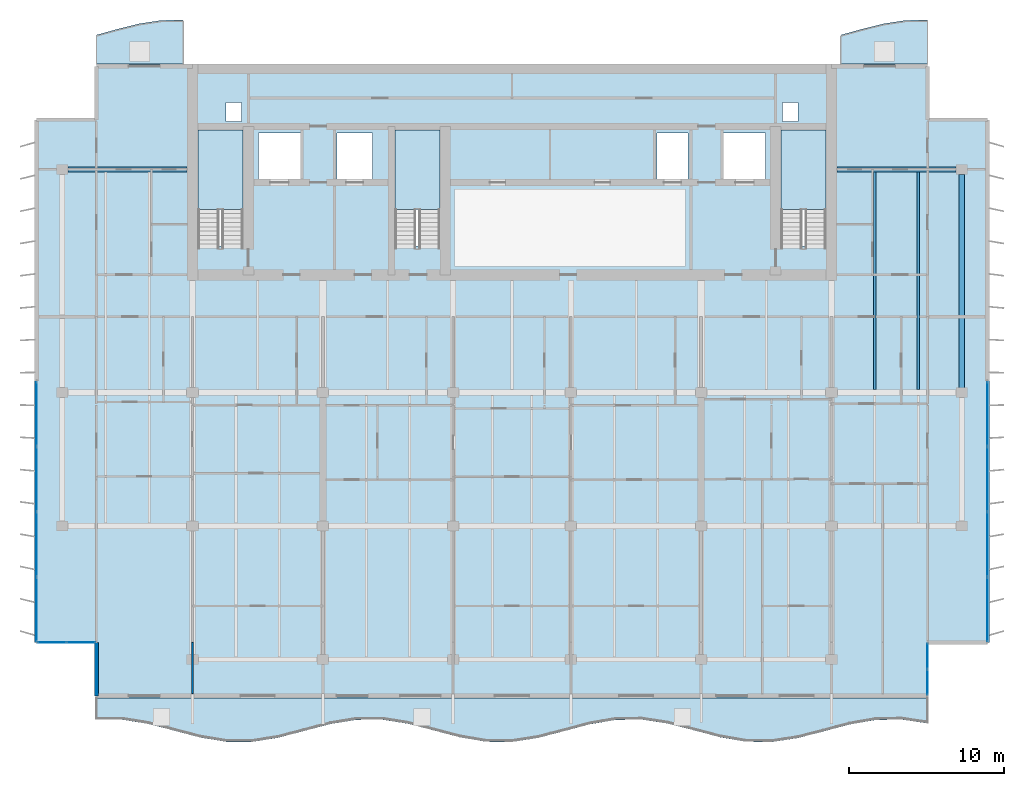
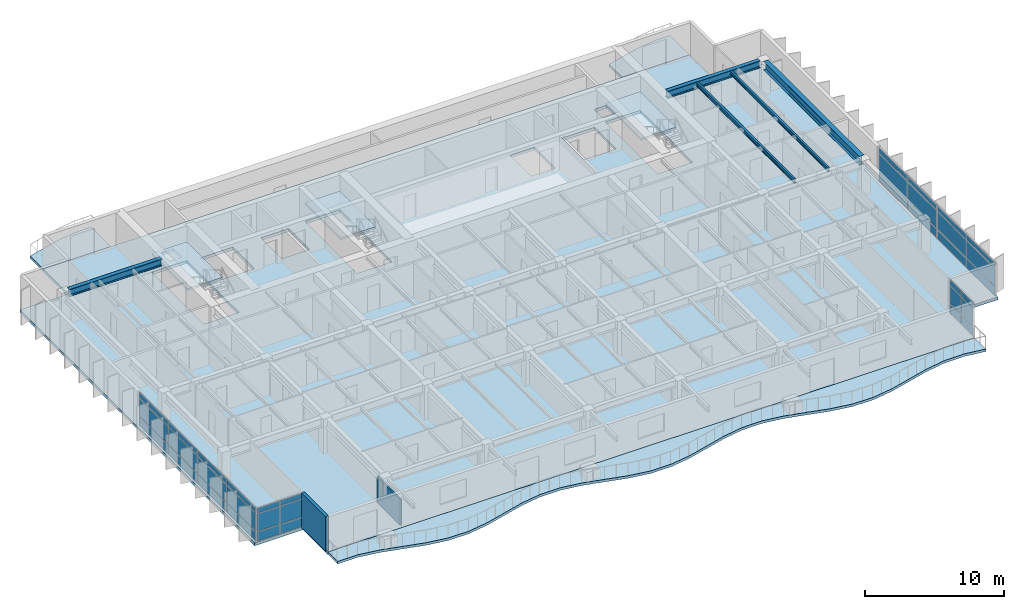
# One storey, part 5 of 19: 36 plates, 7 slabs, 5 beams, 2 walls, 7 elements without a shape of their own.
"""IFC4 building model written with IfcOpenShell, lengths in metres."""

from ifc_helpers import new_model, si_unit, direction, frame, frame_2d, origin, origin_2d, place, context, subcontext, project, spatial, polyline, rectangle, i_section, outline, extrude, material, layer, layer_set, material_profile, profile_set, type_object, element, aggregate, save


model = new_model("IFC4")

# Units and contexts
model_context = context("Model", 3, precision=1e-05, world=origin(), true_north=direction((0.0, 1.0)))
body_context = subcontext(model_context, "Body", "Model", "MODEL_VIEW")
ifc_project = project(units=[si_unit("LENGTHUNIT", "METRE"), si_unit("AREAUNIT", "SQUARE_METRE"), si_unit("VOLUMEUNIT", "CUBIC_METRE"), si_unit("PLANEANGLEUNIT", "RADIAN"), si_unit("MASSUNIT", "GRAM", prefix="KILO")], contexts=[model_context])

# Site, building, storey
site_placement = place(None, origin())
site = spatial("IfcSite", under=ifc_project, at=site_placement, CompositionType="ELEMENT")
building_placement = place(site_placement, origin())
building = spatial("IfcBuilding", under=site, at=building_placement, Name="Caelmar Bay Residences", CompositionType="ELEMENT")
storey_placement = place(building_placement, frame((0.0, 0.0, 256.199951171875)))
storey = spatial("IfcBuildingStorey", under=building, at=storey_placement, Name="L72", CompositionType="ELEMENT", Elevation=256.199951171875)

# Beams
ifc_material_1 = material(Name="Steel ASTM A992 Grade 50", Category="steel")
ifc_material_profile_1 = material_profile(ifc_material_1, i_section(OverallWidth=0.381103515625, OverallDepth=0.77197265625, WebThickness=0.0166015625, FlangeThickness=0.027099609375, FilletRadius=0.0166015625, at=origin_2d()), Name="W30X173")
ifc_profile_set_1 = profile_set([ifc_material_profile_1], Name="Steel ASTM A992 Grade 50")
beam_type_1 = type_object("IfcBeamType", Name="BM-GRD-W30X173", PredefinedType="BEAM", material=ifc_profile_set_1)
beam_1_placement = place(storey_placement, frame((67.89990234375, 29.715087890625, 2.6640625), z_axis=(0.0, 1.0, 0.0), x_axis=(-1.0, 0.0, 0.0)))
element("IfcBeam", 1, at=beam_1_placement, inside=storey, type_object=beam_type_1, Name="L72 North-South Girder X=67.90 (29.4-43.8)", PredefinedType="BEAM", context=body_context, shape_type="SweptSolid", body=[
    extrude(i_section(OverallWidth=0.381103515625, OverallDepth=0.77197265625, WebThickness=0.0166015625, FlangeThickness=0.027099609375, FilletRadius=0.0166015625, at=origin_2d()), origin(), (0.0, 0.0, 1.0), 13.77001953125),
])
ifc_material_profile_2 = material_profile(ifc_material_1, i_section(OverallWidth=0.1650390625, OverallDepth=0.31005859375, WebThickness=0.005859375, FlangeThickness=0.009765625, FilletRadius=0.007568359375, at=origin_2d()), Name="W12X26")
ifc_profile_set_2 = profile_set([ifc_material_profile_2], Name="Steel ASTM A992 Grade 50")
beam_type_2 = type_object("IfcBeamType", Name="BM-JST-W12X26", PredefinedType="JOIST", material=ifc_profile_set_2)
beam_2_placement = place(storey_placement, frame((65.10009765625, 29.590576171875, 2.89501953125), z_axis=(0.0, 1.0, 0.0), x_axis=(-1.0, 0.0, 0.0)))
element("IfcBeam", 2, at=beam_2_placement, inside=storey, type_object=beam_type_2, Name="L72 Composite Floor Joist 33", PredefinedType="JOIST", context=body_context, shape_type="SweptSolid", body=[
    extrude(i_section(OverallWidth=0.1650390625, OverallDepth=0.31005859375, WebThickness=0.005859375, FlangeThickness=0.009765625, FilletRadius=0.007568359375, at=origin_2d()), origin(), (0.0, 0.0, 1.0), 14.046875),
])
ifc_material_profile_3 = material_profile(ifc_material_1, i_section(OverallWidth=0.1708984375, OverallDepth=0.35595703125, WebThickness=0.007080078125, FlangeThickness=0.01171875, FilletRadius=0.007568359375, at=origin_2d()), Name="W14X34")
ifc_profile_set_3 = profile_set([ifc_material_profile_3], Name="Steel ASTM A992 Grade 50")
beam_type_3 = type_object("IfcBeamType", Name="BM-JST-W14X34", PredefinedType="JOIST", material=ifc_profile_set_3)
beam_3_placement = place(storey_placement, frame((62.300048828125, 29.590576171875, 2.8720703125), z_axis=(0.0, 1.0, 0.0), x_axis=(-1.0, 0.0, 0.0)))
element("IfcBeam", 3, at=beam_3_placement, inside=storey, type_object=beam_type_3, Name="L72 Composite Floor Joist 32", PredefinedType="JOIST", context=body_context, shape_type="SweptSolid", body=[
    extrude(i_section(OverallWidth=0.1708984375, OverallDepth=0.35595703125, WebThickness=0.007080078125, FlangeThickness=0.01171875, FilletRadius=0.007568359375, at=origin_2d()), origin(), (0.0, 0.0, 1.0), 14.046875),
])
ifc_material_profile_4 = material_profile(ifc_material_1, i_section(OverallWidth=0.324951171875, OverallDepth=0.616943359375, WebThickness=0.013916015625, FlangeThickness=0.021484375, FilletRadius=0.0126953125, at=origin_2d()), Name="W24X117")
ifc_profile_set_4 = profile_set([ifc_material_profile_4], Name="Steel ASTM A992 Grade 50")
beam_type_4 = type_object("IfcBeamType", Name="BM-SPN-W24X117", PredefinedType="SPANDREL", material=ifc_profile_set_4)
beam_4_placement = place(storey_placement, frame((10.264892578125, 43.800048828125, 2.741455078125), z_axis=(1.0, 0.0, 0.0), x_axis=(0.0, 1.0, 0.0)))
element("IfcBeam", 4, at=beam_4_placement, inside=storey, type_object=beam_type_4, Name="L72 North-West Wing Core Tie Girder", PredefinedType="SPANDREL", context=body_context, shape_type="SweptSolid", body=[
    extrude(i_section(OverallWidth=0.324951171875, OverallDepth=0.616943359375, WebThickness=0.013916015625, FlangeThickness=0.021484375, FilletRadius=0.0126953125, at=origin_2d()), origin(), (0.0, 0.0, 1.0), 7.68505859375),
])
beam_5_placement = place(storey_placement, frame((59.85009765625, 43.800048828125, 2.741455078125), z_axis=(1.0, 0.0, 0.0), x_axis=(0.0, 1.0, 0.0)))
element("IfcBeam", 5, at=beam_5_placement, inside=storey, type_object=beam_type_4, Name="L72 North-East Wing Core Tie Girder", PredefinedType="SPANDREL", context=body_context, shape_type="SweptSolid", body=[
    extrude(i_section(OverallWidth=0.324951171875, OverallDepth=0.616943359375, WebThickness=0.013916015625, FlangeThickness=0.021484375, FilletRadius=0.0126953125, at=origin_2d()), origin(), (0.0, 0.0, 1.0), 7.684814453125),
])

# Curtain wall, plates
ifc_material_2 = material(Name="Anodised bronze aluminium 6063-T6 and laminated glass", Category="aluminium")
ifc_layer_1 = layer(ifc_material_2, 0.179931640625)
ifc_layer_set_1 = layer_set([ifc_layer_1], Name="Anodised bronze aluminium 6063-T6 and laminated glass")
curtain_wall_type_1 = type_object("IfcCurtainWallType", Name="CW6-NTC", PredefinedType="NOTDEFINED", material=ifc_layer_set_1)
curtain_wall_1_placement = place(storey_placement, origin())
curtain_wall_1 = element("IfcCurtainWall", 6, at=curtain_wall_1_placement, inside=storey, type_object=curtain_wall_type_1, Name="CW6 curtain wall L72", PredefinedType="NOTDEFINED")
ifc_material_3 = material(Name="Bronze-tinted laminated low-E hurricane glass 28 mm", Category="glass")
ifc_layer_2 = layer(ifc_material_3, 0.028076171875)
ifc_layer_set_2 = layer_set([ifc_layer_2], Name="Bronze-tinted laminated low-E hurricane glass 28 mm")
plate_type_1 = type_object("IfcPlateType", Name="CWP-GLZ28", PredefinedType="CURTAIN_PANEL", material=ifc_layer_set_2)
plate_1_placement = place(storey_placement, frame((9.232421875, 13.300048828125, 0.080078125), z_axis=(0.0, 0.0, 1.0), x_axis=(1.0, 0.0, 0.0)))
plate_1 = element("IfcPlate", 7, at=plate_1_placement, type_object=plate_type_1, Name="CW6 panel 1.1", PredefinedType="CURTAIN_PANEL", context=body_context, shape_type="SweptSolid", body=[
    extrude(rectangle(XDim=1.804931640625, YDim=0.028076171875, at=origin_2d()), origin(), (0.0, 0.0, 1.0), 0.780029296875),
])
plate_2_placement = place(storey_placement, frame((9.232421875, 13.300048828125, 0.93994140625), z_axis=(0.0, 0.0, 1.0), x_axis=(1.0, 0.0, 0.0)))
plate_2 = element("IfcPlate", 8, at=plate_2_placement, type_object=plate_type_1, Name="CW6 panel 1.2", PredefinedType="CURTAIN_PANEL", context=body_context, shape_type="SweptSolid", body=[
    extrude(rectangle(XDim=1.804931640625, YDim=0.028076171875, at=origin_2d()), origin(), (0.0, 0.0, 1.0), 1.52001953125),
])
plate_3_placement = place(storey_placement, frame((9.232421875, 13.300048828125, 2.5400390625), z_axis=(0.0, 0.0, 1.0), x_axis=(1.0, 0.0, 0.0)))
plate_3 = element("IfcPlate", 9, at=plate_3_placement, type_object=plate_type_1, Name="CW6 panel 1.3", PredefinedType="CURTAIN_PANEL", context=body_context, shape_type="SweptSolid", body=[
    extrude(rectangle(XDim=1.804931640625, YDim=0.028076171875, at=origin_2d()), origin(), (0.0, 0.0, 1.0), 0.429931640625),
])
plate_4_placement = place(storey_placement, frame((11.117431640625, 13.300048828125, 0.080078125), z_axis=(0.0, 0.0, 1.0), x_axis=(1.0, 0.0, 0.0)))
plate_4 = element("IfcPlate", 10, at=plate_4_placement, type_object=plate_type_1, Name="CW6 panel 2.1", PredefinedType="CURTAIN_PANEL", context=body_context, shape_type="SweptSolid", body=[
    extrude(rectangle(XDim=1.804931640625, YDim=0.028076171875, at=origin_2d()), origin(), (0.0, 0.0, 1.0), 0.780029296875),
])
plate_5_placement = place(storey_placement, frame((11.117431640625, 13.300048828125, 0.93994140625), z_axis=(0.0, 0.0, 1.0), x_axis=(1.0, 0.0, 0.0)))
plate_5 = element("IfcPlate", 11, at=plate_5_placement, type_object=plate_type_1, Name="CW6 panel 2.2", PredefinedType="CURTAIN_PANEL", context=body_context, shape_type="SweptSolid", body=[
    extrude(rectangle(XDim=1.804931640625, YDim=0.028076171875, at=origin_2d()), origin(), (0.0, 0.0, 1.0), 1.52001953125),
])
plate_6_placement = place(storey_placement, frame((11.117431640625, 13.300048828125, 2.5400390625), z_axis=(0.0, 0.0, 1.0), x_axis=(1.0, 0.0, 0.0)))
plate_6 = element("IfcPlate", 12, at=plate_6_placement, type_object=plate_type_1, Name="CW6 panel 2.3", PredefinedType="CURTAIN_PANEL", context=body_context, shape_type="SweptSolid", body=[
    extrude(rectangle(XDim=1.804931640625, YDim=0.028076171875, at=origin_2d()), origin(), (0.0, 0.0, 1.0), 0.429931640625),
])
aggregate(curtain_wall_1, [plate_1, plate_2, plate_3, plate_4, plate_5, plate_6])

curtain_wall_2_placement = place(storey_placement, origin())
curtain_wall_2 = element("IfcCurtainWall", 13, at=curtain_wall_2_placement, inside=storey, type_object=curtain_wall_type_1, Name="CW6 curtain wall L72", PredefinedType="NOTDEFINED")
plate_7_placement = place(storey_placement, frame((65.699951171875, 10.732421875, 0.080078125), z_axis=(0.0, 0.0, 1.0), x_axis=(0.0, 1.0, 0.0)))
plate_7 = element("IfcPlate", 14, at=plate_7_placement, type_object=plate_type_1, Name="CW6 panel 1.1", PredefinedType="CURTAIN_PANEL", context=body_context, shape_type="SweptSolid", body=[
    extrude(rectangle(XDim=1.60498046875, YDim=0.028076171875, at=origin_2d()), origin(), (0.0, 0.0, 1.0), 0.780029296875),
])
plate_8_placement = place(storey_placement, frame((65.699951171875, 10.732421875, 0.93994140625), z_axis=(0.0, 0.0, 1.0), x_axis=(0.0, 1.0, 0.0)))
plate_8 = element("IfcPlate", 15, at=plate_8_placement, type_object=plate_type_1, Name="CW6 panel 1.2", PredefinedType="CURTAIN_PANEL", context=body_context, shape_type="SweptSolid", body=[
    extrude(rectangle(XDim=1.60498046875, YDim=0.028076171875, at=origin_2d()), origin(), (0.0, 0.0, 1.0), 1.52001953125),
])
plate_9_placement = place(storey_placement, frame((65.699951171875, 10.732421875, 2.5400390625), z_axis=(0.0, 0.0, 1.0), x_axis=(0.0, 1.0, 0.0)))
plate_9 = element("IfcPlate", 16, at=plate_9_placement, type_object=plate_type_1, Name="CW6 panel 1.3", PredefinedType="CURTAIN_PANEL", context=body_context, shape_type="SweptSolid", body=[
    extrude(rectangle(XDim=1.60498046875, YDim=0.028076171875, at=origin_2d()), origin(), (0.0, 0.0, 1.0), 0.429931640625),
])
plate_10_placement = place(storey_placement, frame((65.699951171875, 12.41748046875, 0.080078125), z_axis=(0.0, 0.0, 1.0), x_axis=(0.0, 1.0, 0.0)))
plate_10 = element("IfcPlate", 17, at=plate_10_placement, type_object=plate_type_1, Name="CW6 panel 2.1", PredefinedType="CURTAIN_PANEL", context=body_context, shape_type="SweptSolid", body=[
    extrude(rectangle(XDim=1.60498046875, YDim=0.028076171875, at=origin_2d()), origin(), (0.0, 0.0, 1.0), 0.780029296875),
])
plate_11_placement = place(storey_placement, frame((65.699951171875, 12.41748046875, 0.93994140625), z_axis=(0.0, 0.0, 1.0), x_axis=(0.0, 1.0, 0.0)))
plate_11 = element("IfcPlate", 18, at=plate_11_placement, type_object=plate_type_1, Name="CW6 panel 2.2", PredefinedType="CURTAIN_PANEL", context=body_context, shape_type="SweptSolid", body=[
    extrude(rectangle(XDim=1.60498046875, YDim=0.028076171875, at=origin_2d()), origin(), (0.0, 0.0, 1.0), 1.52001953125),
])
plate_12_placement = place(storey_placement, frame((65.699951171875, 12.41748046875, 2.5400390625), z_axis=(0.0, 0.0, 1.0), x_axis=(0.0, 1.0, 0.0)))
plate_12 = element("IfcPlate", 19, at=plate_12_placement, type_object=plate_type_1, Name="CW6 panel 2.3", PredefinedType="CURTAIN_PANEL", context=body_context, shape_type="SweptSolid", body=[
    extrude(rectangle(XDim=1.60498046875, YDim=0.028076171875, at=origin_2d()), origin(), (0.0, 0.0, 1.0), 0.429931640625),
])
aggregate(curtain_wall_2, [plate_7, plate_8, plate_9, plate_10, plate_11, plate_12])

ifc_layer_3 = layer(ifc_material_2, 0.179931640625)
ifc_layer_set_3 = layer_set([ifc_layer_3], Name="Anodised bronze aluminium 6063-T6 and laminated glass")
curtain_wall_type_2 = type_object("IfcCurtainWallType", Name="CW5-Z4", PredefinedType="NOTDEFINED", material=ifc_layer_set_3)
curtain_wall_3_placement = place(storey_placement, origin())
curtain_wall_3 = element("IfcCurtainWall", 20, at=curtain_wall_3_placement, inside=storey, type_object=curtain_wall_type_2, Name="CW5 curtain wall L72", PredefinedType="NOTDEFINED")
ifc_material_4 = material(Name="Bronze-tinted laminated low-E hurricane glass 32 mm", Category="glass")
ifc_layer_4 = layer(ifc_material_4, 0.031982421875)
ifc_layer_set_4 = layer_set([ifc_layer_4], Name="Bronze-tinted laminated low-E hurricane glass 32 mm")
plate_type_2 = type_object("IfcPlateType", Name="CWP-GLZ32", PredefinedType="CURTAIN_PANEL", material=ifc_layer_set_4)
plate_13_placement = place(storey_placement, frame((8.25, 15.42626953125, 0.080078125), z_axis=(0.0, 0.0, 1.0), x_axis=(0.0, 1.0, 0.0)))
plate_13 = element("IfcPlate", 21, at=plate_13_placement, type_object=plate_type_2, Name="CW5 panel 1.1", PredefinedType="CURTAIN_PANEL", context=body_context, shape_type="SweptSolid", body=[
    extrude(rectangle(XDim=4.092529296875, YDim=0.031982421875, at=origin_2d()), origin(), (0.0, 0.0, 1.0), 0.780029296875),
])
plate_14_placement = place(storey_placement, frame((8.25, 15.42626953125, 0.93994140625), z_axis=(0.0, 0.0, 1.0), x_axis=(0.0, 1.0, 0.0)))
plate_14 = element("IfcPlate", 22, at=plate_14_placement, type_object=plate_type_2, Name="CW5 panel 1.2", PredefinedType="CURTAIN_PANEL", context=body_context, shape_type="SweptSolid", body=[
    extrude(rectangle(XDim=4.092529296875, YDim=0.031982421875, at=origin_2d()), origin(), (0.0, 0.0, 1.0), 1.52001953125),
])
plate_15_placement = place(storey_placement, frame((8.25, 15.42626953125, 2.5400390625), z_axis=(0.0, 0.0, 1.0), x_axis=(0.0, 1.0, 0.0)))
plate_15 = element("IfcPlate", 23, at=plate_15_placement, type_object=plate_type_2, Name="CW5 panel 1.3", PredefinedType="CURTAIN_PANEL", context=body_context, shape_type="SweptSolid", body=[
    extrude(rectangle(XDim=4.092529296875, YDim=0.031982421875, at=origin_2d()), origin(), (0.0, 0.0, 1.0), 0.429931640625),
])
plate_16_placement = place(storey_placement, frame((8.25, 19.61865234375, 0.080078125), z_axis=(0.0, 0.0, 1.0), x_axis=(0.0, 1.0, 0.0)))
plate_16 = element("IfcPlate", 24, at=plate_16_placement, type_object=plate_type_2, Name="CW5 panel 2.1", PredefinedType="CURTAIN_PANEL", context=body_context, shape_type="SweptSolid", body=[
    extrude(rectangle(XDim=4.132568359375, YDim=0.031982421875, at=origin_2d()), origin(), (0.0, 0.0, 1.0), 0.780029296875),
])
plate_17_placement = place(storey_placement, frame((8.25, 19.61865234375, 0.93994140625), z_axis=(0.0, 0.0, 1.0), x_axis=(0.0, 1.0, 0.0)))
plate_17 = element("IfcPlate", 25, at=plate_17_placement, type_object=plate_type_2, Name="CW5 panel 2.2", PredefinedType="CURTAIN_PANEL", context=body_context, shape_type="SweptSolid", body=[
    extrude(rectangle(XDim=4.132568359375, YDim=0.031982421875, at=origin_2d()), origin(), (0.0, 0.0, 1.0), 1.52001953125),
])
plate_18_placement = place(storey_placement, frame((8.25, 19.61865234375, 2.5400390625), z_axis=(0.0, 0.0, 1.0), x_axis=(0.0, 1.0, 0.0)))
plate_18 = element("IfcPlate", 26, at=plate_18_placement, type_object=plate_type_2, Name="CW5 panel 2.3", PredefinedType="CURTAIN_PANEL", context=body_context, shape_type="SweptSolid", body=[
    extrude(rectangle(XDim=4.132568359375, YDim=0.031982421875, at=origin_2d()), origin(), (0.0, 0.0, 1.0), 0.429931640625),
])
plate_19_placement = place(storey_placement, frame((8.25, 23.831298828125, 0.080078125), z_axis=(0.0, 0.0, 1.0), x_axis=(0.0, 1.0, 0.0)))
plate_19 = element("IfcPlate", 27, at=plate_19_placement, type_object=plate_type_2, Name="CW5 panel 3.1", PredefinedType="CURTAIN_PANEL", context=body_context, shape_type="SweptSolid", body=[
    extrude(rectangle(XDim=4.132568359375, YDim=0.031982421875, at=origin_2d()), origin(), (0.0, 0.0, 1.0), 0.780029296875),
])
plate_20_placement = place(storey_placement, frame((8.25, 23.831298828125, 0.93994140625), z_axis=(0.0, 0.0, 1.0), x_axis=(0.0, 1.0, 0.0)))
plate_20 = element("IfcPlate", 28, at=plate_20_placement, type_object=plate_type_2, Name="CW5 panel 3.2", PredefinedType="CURTAIN_PANEL", context=body_context, shape_type="SweptSolid", body=[
    extrude(rectangle(XDim=4.132568359375, YDim=0.031982421875, at=origin_2d()), origin(), (0.0, 0.0, 1.0), 1.52001953125),
])
plate_21_placement = place(storey_placement, frame((8.25, 23.831298828125, 2.5400390625), z_axis=(0.0, 0.0, 1.0), x_axis=(0.0, 1.0, 0.0)))
plate_21 = element("IfcPlate", 29, at=plate_21_placement, type_object=plate_type_2, Name="CW5 panel 3.3", PredefinedType="CURTAIN_PANEL", context=body_context, shape_type="SweptSolid", body=[
    extrude(rectangle(XDim=4.132568359375, YDim=0.031982421875, at=origin_2d()), origin(), (0.0, 0.0, 1.0), 0.429931640625),
])
plate_22_placement = place(storey_placement, frame((8.25, 28.023681640625, 0.080078125), z_axis=(0.0, 0.0, 1.0), x_axis=(0.0, 1.0, 0.0)))
plate_22 = element("IfcPlate", 30, at=plate_22_placement, type_object=plate_type_2, Name="CW5 panel 4.1", PredefinedType="CURTAIN_PANEL", context=body_context, shape_type="SweptSolid", body=[
    extrude(rectangle(XDim=4.092529296875, YDim=0.031982421875, at=origin_2d()), origin(), (0.0, 0.0, 1.0), 0.780029296875),
])
plate_23_placement = place(storey_placement, frame((8.25, 28.023681640625, 0.93994140625), z_axis=(0.0, 0.0, 1.0), x_axis=(0.0, 1.0, 0.0)))
plate_23 = element("IfcPlate", 31, at=plate_23_placement, type_object=plate_type_2, Name="CW5 panel 4.2", PredefinedType="CURTAIN_PANEL", context=body_context, shape_type="SweptSolid", body=[
    extrude(rectangle(XDim=4.092529296875, YDim=0.031982421875, at=origin_2d()), origin(), (0.0, 0.0, 1.0), 1.52001953125),
])
plate_24_placement = place(storey_placement, frame((8.25, 28.023681640625, 2.5400390625), z_axis=(0.0, 0.0, 1.0), x_axis=(0.0, 1.0, 0.0)))
plate_24 = element("IfcPlate", 32, at=plate_24_placement, type_object=plate_type_2, Name="CW5 panel 4.3", PredefinedType="CURTAIN_PANEL", context=body_context, shape_type="SweptSolid", body=[
    extrude(rectangle(XDim=4.092529296875, YDim=0.031982421875, at=origin_2d()), origin(), (0.0, 0.0, 1.0), 0.429931640625),
])
aggregate(curtain_wall_3, [plate_13, plate_14, plate_15, plate_16, plate_17, plate_18, plate_19, plate_20, plate_21, plate_22, plate_23, plate_24])

curtain_wall_4_placement = place(storey_placement, origin())
curtain_wall_4 = element("IfcCurtainWall", 33, at=curtain_wall_4_placement, inside=storey, type_object=curtain_wall_type_2, Name="CW5 curtain wall L72", PredefinedType="NOTDEFINED")
plate_25_placement = place(storey_placement, frame((69.550048828125, 28.023681640625, 0.080078125), z_axis=(0.0, 0.0, 1.0), x_axis=(0.0, -1.0, 0.0)))
plate_25 = element("IfcPlate", 34, at=plate_25_placement, type_object=plate_type_2, Name="CW5 panel 1.1", PredefinedType="CURTAIN_PANEL", context=body_context, shape_type="SweptSolid", body=[
    extrude(rectangle(XDim=4.092529296875, YDim=0.031982421875, at=origin_2d()), origin(), (0.0, 0.0, 1.0), 0.780029296875),
])
plate_26_placement = place(storey_placement, frame((69.550048828125, 28.023681640625, 0.93994140625), z_axis=(0.0, 0.0, 1.0), x_axis=(0.0, -1.0, 0.0)))
plate_26 = element("IfcPlate", 35, at=plate_26_placement, type_object=plate_type_2, Name="CW5 panel 1.2", PredefinedType="CURTAIN_PANEL", context=body_context, shape_type="SweptSolid", body=[
    extrude(rectangle(XDim=4.092529296875, YDim=0.031982421875, at=origin_2d()), origin(), (0.0, 0.0, 1.0), 1.52001953125),
])
plate_27_placement = place(storey_placement, frame((69.550048828125, 28.023681640625, 2.5400390625), z_axis=(0.0, 0.0, 1.0), x_axis=(0.0, -1.0, 0.0)))
plate_27 = element("IfcPlate", 36, at=plate_27_placement, type_object=plate_type_2, Name="CW5 panel 1.3", PredefinedType="CURTAIN_PANEL", context=body_context, shape_type="SweptSolid", body=[
    extrude(rectangle(XDim=4.092529296875, YDim=0.031982421875, at=origin_2d()), origin(), (0.0, 0.0, 1.0), 0.429931640625),
])
plate_28_placement = place(storey_placement, frame((69.550048828125, 23.831298828125, 0.080078125), z_axis=(0.0, 0.0, 1.0), x_axis=(0.0, -1.0, 0.0)))
plate_28 = element("IfcPlate", 37, at=plate_28_placement, type_object=plate_type_2, Name="CW5 panel 2.1", PredefinedType="CURTAIN_PANEL", context=body_context, shape_type="SweptSolid", body=[
    extrude(rectangle(XDim=4.132568359375, YDim=0.031982421875, at=origin_2d()), origin(), (0.0, 0.0, 1.0), 0.780029296875),
])
plate_29_placement = place(storey_placement, frame((69.550048828125, 23.831298828125, 0.93994140625), z_axis=(0.0, 0.0, 1.0), x_axis=(0.0, -1.0, 0.0)))
plate_29 = element("IfcPlate", 38, at=plate_29_placement, type_object=plate_type_2, Name="CW5 panel 2.2", PredefinedType="CURTAIN_PANEL", context=body_context, shape_type="SweptSolid", body=[
    extrude(rectangle(XDim=4.132568359375, YDim=0.031982421875, at=origin_2d()), origin(), (0.0, 0.0, 1.0), 1.52001953125),
])
plate_30_placement = place(storey_placement, frame((69.550048828125, 23.831298828125, 2.5400390625), z_axis=(0.0, 0.0, 1.0), x_axis=(0.0, -1.0, 0.0)))
plate_30 = element("IfcPlate", 39, at=plate_30_placement, type_object=plate_type_2, Name="CW5 panel 2.3", PredefinedType="CURTAIN_PANEL", context=body_context, shape_type="SweptSolid", body=[
    extrude(rectangle(XDim=4.132568359375, YDim=0.031982421875, at=origin_2d()), origin(), (0.0, 0.0, 1.0), 0.429931640625),
])
plate_31_placement = place(storey_placement, frame((69.550048828125, 19.61865234375, 0.080078125), z_axis=(0.0, 0.0, 1.0), x_axis=(0.0, -1.0, 0.0)))
plate_31 = element("IfcPlate", 40, at=plate_31_placement, type_object=plate_type_2, Name="CW5 panel 3.1", PredefinedType="CURTAIN_PANEL", context=body_context, shape_type="SweptSolid", body=[
    extrude(rectangle(XDim=4.132568359375, YDim=0.031982421875, at=origin_2d()), origin(), (0.0, 0.0, 1.0), 0.780029296875),
])
plate_32_placement = place(storey_placement, frame((69.550048828125, 19.61865234375, 0.93994140625), z_axis=(0.0, 0.0, 1.0), x_axis=(0.0, -1.0, 0.0)))
plate_32 = element("IfcPlate", 41, at=plate_32_placement, type_object=plate_type_2, Name="CW5 panel 3.2", PredefinedType="CURTAIN_PANEL", context=body_context, shape_type="SweptSolid", body=[
    extrude(rectangle(XDim=4.132568359375, YDim=0.031982421875, at=origin_2d()), origin(), (0.0, 0.0, 1.0), 1.52001953125),
])
plate_33_placement = place(storey_placement, frame((69.550048828125, 19.61865234375, 2.5400390625), z_axis=(0.0, 0.0, 1.0), x_axis=(0.0, -1.0, 0.0)))
plate_33 = element("IfcPlate", 42, at=plate_33_placement, type_object=plate_type_2, Name="CW5 panel 3.3", PredefinedType="CURTAIN_PANEL", context=body_context, shape_type="SweptSolid", body=[
    extrude(rectangle(XDim=4.132568359375, YDim=0.031982421875, at=origin_2d()), origin(), (0.0, 0.0, 1.0), 0.429931640625),
])
plate_34_placement = place(storey_placement, frame((69.550048828125, 15.42626953125, 0.080078125), z_axis=(0.0, 0.0, 1.0), x_axis=(0.0, -1.0, 0.0)))
plate_34 = element("IfcPlate", 43, at=plate_34_placement, type_object=plate_type_2, Name="CW5 panel 4.1", PredefinedType="CURTAIN_PANEL", context=body_context, shape_type="SweptSolid", body=[
    extrude(rectangle(XDim=4.092529296875, YDim=0.031982421875, at=origin_2d()), origin(), (0.0, 0.0, 1.0), 0.780029296875),
])
plate_35_placement = place(storey_placement, frame((69.550048828125, 15.42626953125, 0.93994140625), z_axis=(0.0, 0.0, 1.0), x_axis=(0.0, -1.0, 0.0)))
plate_35 = element("IfcPlate", 44, at=plate_35_placement, type_object=plate_type_2, Name="CW5 panel 4.2", PredefinedType="CURTAIN_PANEL", context=body_context, shape_type="SweptSolid", body=[
    extrude(rectangle(XDim=4.092529296875, YDim=0.031982421875, at=origin_2d()), origin(), (0.0, 0.0, 1.0), 1.52001953125),
])
plate_36_placement = place(storey_placement, frame((69.550048828125, 15.42626953125, 2.5400390625), z_axis=(0.0, 0.0, 1.0), x_axis=(0.0, -1.0, 0.0)))
plate_36 = element("IfcPlate", 45, at=plate_36_placement, type_object=plate_type_2, Name="CW5 panel 4.3", PredefinedType="CURTAIN_PANEL", context=body_context, shape_type="SweptSolid", body=[
    extrude(rectangle(XDim=4.092529296875, YDim=0.031982421875, at=origin_2d()), origin(), (0.0, 0.0, 1.0), 0.429931640625),
])
aggregate(curtain_wall_4, [plate_25, plate_26, plate_27, plate_28, plate_29, plate_30, plate_31, plate_32, plate_33, plate_34, plate_35, plate_36])

# Slabs
ifc_material_5 = material(Name="Concrete f'c 40 MPa (6,000 psi)", Category="concrete")
ifc_layer_5 = layer(ifc_material_5, 0.219970703125)
ifc_layer_set_5 = layer_set([ifc_layer_5], Name="Concrete f'c 40 MPa (6,000 psi)")
slab_type_1 = type_object("IfcSlabType", Name="SLB-BAL-220", PredefinedType="FLOOR", material=ifc_layer_set_5)
slab_1_placement = place(storey_placement, frame((0.0, 0.0, -0.219970703125)))
element("IfcSlab", 46, at=slab_1_placement, inside=storey, type_object=slab_type_1, Name="L72 Sinusoidal Tree-Balcony Slab south", PredefinedType="FLOOR", context=body_context, shape_type="SweptSolid", body=[
    extrude(outline(polyline([(12.10009765625, 8.313232421875), (13.77490234375, 8.313720703125), (15.449951171875, 8.043212890625), (17.125, 7.604248046875), (18.800048828125, 7.163818359375), (20.47509765625, 6.888916015625), (22.14990234375, 6.88427734375), (23.824951171875, 7.1513671875), (25.5, 7.5888671875), (27.175048828125, 8.030517578125), (28.85009765625, 8.308837890625), (30.52490234375, 8.31787109375), (32.199951171875, 8.05419921875), (33.875, 7.6181640625), (35.550048828125, 7.17529296875), (37.22509765625, 6.8935546875), (38.89990234375, 6.880126953125), (40.574951171875, 7.14013671875), (42.25, 7.57470703125), (43.925048828125, 8.01904296875), (45.60009765625, 8.30419921875), (47.27490234375, 8.32177734375), (48.949951171875, 8.0654296875), (50.625, 7.632080078125), (52.300048828125, 7.186767578125), (53.97509765625, 6.898193359375), (55.64990234375, 6.876220703125), (57.324951171875, 7.129150390625), (59.0, 7.560791015625), (60.675048828125, 8.00732421875), (62.35009765625, 8.29931640625), (64.02490234375, 8.325439453125), (65.699951171875, 8.076416015625), (65.699951171875, 9.699951171875), (12.10009765625, 9.699951171875), (12.10009765625, 8.313232421875)])), origin(), (0.0, 0.0, 1.0), 0.219970703125),
])
slab_2_placement = place(storey_placement, frame((0.0, 0.0, -0.219970703125)))
element("IfcSlab", 47, at=slab_2_placement, inside=storey, type_object=slab_type_1, Name="L72 Sinusoidal Tree-Balcony Slab north_west", PredefinedType="FLOOR", context=body_context, shape_type="SweptSolid", body=[
    extrude(outline(polyline([(12.10009765625, 50.60009765625), (17.699951171875, 50.60009765625), (17.699951171875, 53.43359375), (16.300048828125, 53.413330078125), (14.89990234375, 53.201904296875), (13.5, 52.85595703125), (12.10009765625, 52.46826171875), (12.10009765625, 50.60009765625)])), origin(), (0.0, 0.0, 1.0), 0.219970703125),
])
slab_3_placement = place(storey_placement, frame((0.0, 0.0, -0.219970703125)))
element("IfcSlab", 48, at=slab_3_placement, inside=storey, type_object=slab_type_1, Name="L72 Sinusoidal Tree-Balcony Slab north_east", PredefinedType="FLOOR", context=body_context, shape_type="SweptSolid", body=[
    extrude(outline(polyline([(60.10009765625, 50.60009765625), (65.699951171875, 50.60009765625), (65.699951171875, 53.43359375), (64.300048828125, 53.413330078125), (62.89990234375, 53.201904296875), (61.5, 52.85595703125), (60.10009765625, 52.46826171875), (60.10009765625, 50.60009765625)])), origin(), (0.0, 0.0, 1.0), 0.219970703125),
])

# Stair, slab
stair_type = type_object("IfcStairType", Name="ST-TYP-165", PredefinedType="HALF_TURN_STAIR", material=ifc_material_5)
stair_1_placement = place(storey_placement, origin())
stair_1 = element("IfcStair", 49, at=stair_1_placement, inside=storey, type_object=stair_type, Name="L72 West Smokeproof Exit Stair ST1", PredefinedType="HALF_TURN_STAIR")
ifc_layer_6 = layer(ifc_material_5, 0.199951171875)
ifc_layer_set_6 = layer_set([ifc_layer_6], Name="Concrete f'c 40 MPa (6,000 psi)")
slab_type_2 = type_object("IfcSlabType", Name="SLB-LND-200", PredefinedType="LANDING", material=ifc_layer_set_6)
slab_4_placement = place(storey_placement, frame((0.0, 0.0, 1.449951171875)))
slab_4 = element("IfcSlab", 50, at=slab_4_placement, type_object=slab_type_2, Name="ST1 landing 1", PredefinedType="LANDING", context=body_context, shape_type="SweptSolid", body=[
    extrude(outline(polyline([(21.550048828125, 41.219970703125), (21.550048828125, 46.35009765625), (18.64990234375, 46.35009765625), (18.64990234375, 41.219970703125), (21.550048828125, 41.219970703125)])), origin(), (0.0, 0.0, 1.0), 0.2001953125),
])
aggregate(stair_1, [slab_4])

stair_2_placement = place(storey_placement, origin())
stair_2 = element("IfcStair", 51, at=stair_2_placement, inside=storey, type_object=stair_type, Name="L72 East Smokeproof Exit Stair ST2", PredefinedType="HALF_TURN_STAIR")
slab_5_placement = place(storey_placement, frame((0.0, 0.0, 1.449951171875)))
slab_5 = element("IfcSlab", 52, at=slab_5_placement, type_object=slab_type_2, Name="ST2 landing 1", PredefinedType="LANDING", context=body_context, shape_type="SweptSolid", body=[
    extrude(outline(polyline([(59.14990234375, 41.219970703125), (59.14990234375, 46.35009765625), (56.25, 46.35009765625), (56.25, 41.219970703125), (59.14990234375, 41.219970703125)])), origin(), (0.0, 0.0, 1.0), 0.2001953125),
])
aggregate(stair_2, [slab_5])

stair_3_placement = place(storey_placement, origin())
stair_3 = element("IfcStair", 53, at=stair_3_placement, inside=storey, type_object=stair_type, Name="L72 Central Smokeproof Exit Stair ST3", PredefinedType="HALF_TURN_STAIR")
slab_6_placement = place(storey_placement, frame((0.0, 0.0, 1.449951171875)))
slab_6 = element("IfcSlab", 54, at=slab_6_placement, type_object=slab_type_2, Name="ST3 landing 1", PredefinedType="LANDING", context=body_context, shape_type="SweptSolid", body=[
    extrude(outline(polyline([(34.25, 41.219970703125), (34.25, 46.35009765625), (31.35009765625, 46.35009765625), (31.35009765625, 41.219970703125), (34.25, 41.219970703125)])), origin(), (0.0, 0.0, 1.0), 0.2001953125),
])
aggregate(stair_3, [slab_6])

# Slab
ifc_layer_7 = layer(ifc_material_5, 0.25)
ifc_layer_set_7 = layer_set([ifc_layer_7], Name="Concrete f'c 40 MPa (6,000 psi)")
slab_type_3 = type_object("IfcSlabType", Name="SLB-RES-250", PredefinedType="FLOOR", material=ifc_layer_set_7)
slab_7_placement = place(storey_placement, frame((0.0, 0.0, -0.25)))
element("IfcSlab", 55, at=slab_7_placement, inside=storey, type_object=slab_type_3, Name="L72 Structural Floor Slab", PredefinedType="FLOOR", context=body_context, shape_type="SweptSolid", body=[
    extrude(outline(polyline([(12.10009765625, 9.699951171875), (65.699951171875, 9.699951171875), (65.699951171875, 13.300048828125), (69.699951171875, 13.300048828125), (69.699951171875, 47.0), (65.699951171875, 47.0), (65.699951171875, 50.60009765625), (12.10009765625, 50.60009765625), (12.10009765625, 47.0), (8.10009765625, 47.0), (8.10009765625, 13.300048828125), (12.10009765625, 13.300048828125), (12.10009765625, 9.699951171875)]), holes=[polyline([(18.64990234375, 38.85009765625), (21.550048828125, 38.85009765625), (21.550048828125, 46.35009765625), (18.64990234375, 46.35009765625), (18.64990234375, 38.85009765625)]), polyline([(56.25, 38.85009765625), (59.14990234375, 38.85009765625), (59.14990234375, 46.35009765625), (56.25, 46.35009765625), (56.25, 38.85009765625)]), polyline([(31.35009765625, 38.85009765625), (34.25, 38.85009765625), (34.25, 46.35009765625), (31.35009765625, 46.35009765625), (31.35009765625, 38.85009765625)]), polyline([(22.550048828125, 43.050048828125), (25.25, 43.050048828125), (25.25, 46.14990234375), (22.550048828125, 46.14990234375), (22.550048828125, 43.050048828125)]), polyline([(52.550048828125, 43.050048828125), (55.25, 43.050048828125), (55.25, 46.14990234375), (52.550048828125, 46.14990234375), (52.550048828125, 43.050048828125)]), polyline([(48.25, 43.14990234375), (50.25, 43.14990234375), (50.25, 46.14990234375), (48.25, 46.14990234375), (48.25, 43.14990234375)]), polyline([(27.60009765625, 43.14990234375), (29.89990234375, 43.14990234375), (29.89990234375, 46.14990234375), (27.60009765625, 46.14990234375), (27.60009765625, 43.14990234375)]), polyline([(20.449951171875, 46.89990234375), (21.449951171875, 46.89990234375), (21.449951171875, 48.10009765625), (20.449951171875, 48.10009765625), (20.449951171875, 46.89990234375)]), polyline([(56.35009765625, 46.89990234375), (57.35009765625, 46.89990234375), (57.35009765625, 48.10009765625), (56.35009765625, 48.10009765625), (56.35009765625, 46.89990234375)])]), origin(), (0.0, 0.0, 1.0), 0.25),
])

# Walls
ifc_material_6 = material(Name="Precast concrete f'c 40 MPa (6,000 psi)", Category="concrete")
ifc_layer_8 = layer(ifc_material_6, 0.25)
ifc_layer_set_8 = layer_set([ifc_layer_8], Name="Precast concrete f'c 40 MPa (6,000 psi)")
wall_type_1 = type_object("IfcWallType", Name="W-EXT-250", PredefinedType="ELEMENTEDWALL", material=ifc_layer_set_8)
wall_1_placement = place(storey_placement, frame((12.10009765625, 13.300048828125, 0.0), z_axis=(0.0, 0.0, 1.0), x_axis=(0.0, -1.0, 0.0)))
element("IfcWall", 56, at=wall_1_placement, inside=storey, type_object=wall_type_1, Name="L72 SW Notch Return Wall", PredefinedType="ELEMENTEDWALL", context=body_context, shape_type="SweptSolid", body=[
    extrude(rectangle(XDim=3.449951171875, YDim=0.25, at=frame_2d((1.72509765625, 0.0))), origin(), (0.0, 0.0, 1.0), 3.050048828125),
])
ifc_material_7 = material(Name="Acoustic metal-stud gypsum partition 120 mm")
ifc_layer_9 = layer(ifc_material_7, 0.1201171875)
ifc_layer_set_9 = layer_set([ifc_layer_9], Name="Acoustic metal-stud gypsum partition 120 mm")
wall_type_2 = type_object("IfcWallType", Name="W-PRT-120", PredefinedType="PARTITIONING", material=ifc_layer_set_9)
wall_2_placement = place(storey_placement, frame((18.300048828125, 9.9951171875, 0.0), z_axis=(0.0, 0.0, 1.0), x_axis=(0.0, 1.0, 0.0)))
element("IfcWall", 57, at=wall_2_placement, inside=storey, type_object=wall_type_2, Name="L72 Partition Wall V009", PredefinedType="PARTITIONING", context=body_context, shape_type="SweptSolid", body=[
    extrude(rectangle(XDim=3.304931640625, YDim=0.1201171875, at=frame_2d((1.65234375, 0.0))), origin(), (0.0, 0.0, 1.0), 2.262939453125),
])

save(model, "model.ifc")
